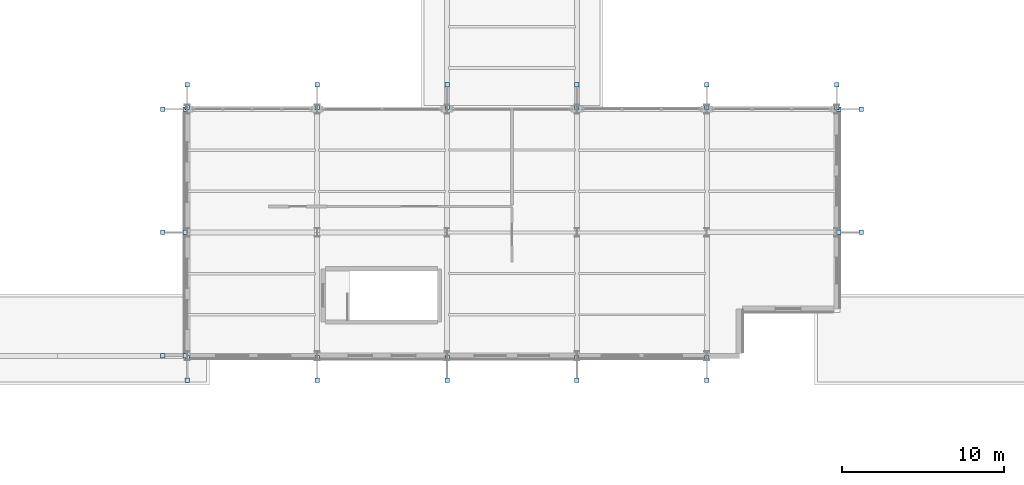
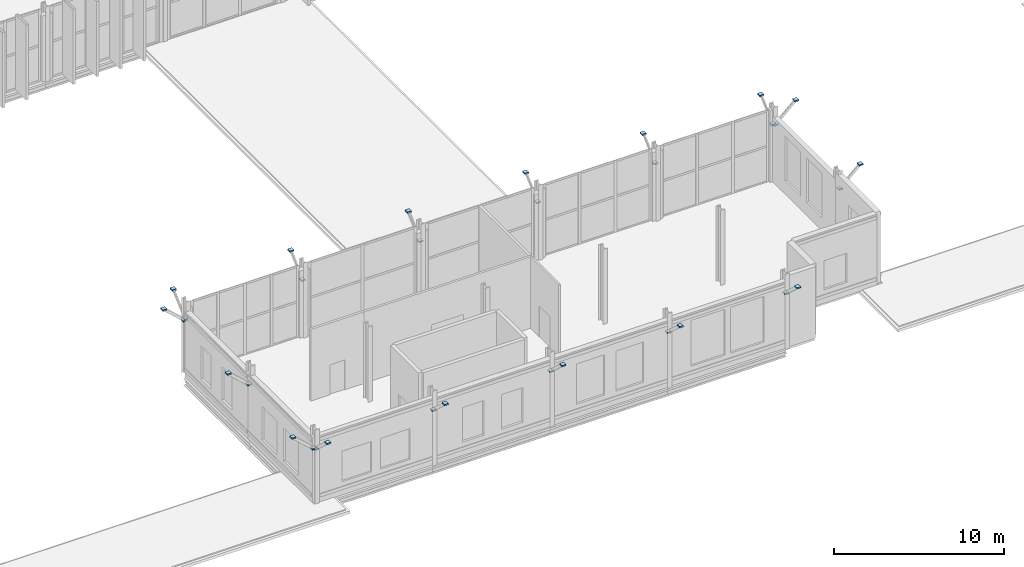
# One storey, part 108 of 147: 32 plates.
"""IFC4 building model written with IfcOpenShell, lengths in metres."""

from ifc_helpers import new_model, si_unit, direction, frame, origin, origin_2d, place, context, subcontext, project, spatial, rectangle, extrude, material, layer, layer_set, type_object, element, save


model = new_model("IFC4")

# Units and contexts
model_context = context("Model", 3, precision=1e-05, world=origin(), true_north=direction((0.0, 1.0)))
body_context = subcontext(model_context, "Body", "Model", "MODEL_VIEW")
ifc_project = project(units=[si_unit("LENGTHUNIT", "METRE"), si_unit("AREAUNIT", "SQUARE_METRE"), si_unit("VOLUMEUNIT", "CUBIC_METRE"), si_unit("PLANEANGLEUNIT", "RADIAN"), si_unit("MASSUNIT", "GRAM", prefix="KILO")], contexts=[model_context])

# Site, building, storey
site_placement = place(None, origin())
site = spatial("IfcSite", under=ifc_project, at=site_placement, CompositionType="ELEMENT")
building_placement = place(site_placement, origin())
building = spatial("IfcBuilding", under=site, at=building_placement, Name="Vekula Escarpment Museum", CompositionType="ELEMENT")
storey_placement = place(building_placement, frame((0.0, 0.0, 7.800048828125)))
storey = spatial("IfcBuildingStorey", under=building, at=storey_placement, Name="L02", CompositionType="ELEMENT", Elevation=7.800048828125)

# Plates
ifc_material = material(Name="Steel S355", Category="steel")
ifc_layer = layer(ifc_material, 0.01611328125)
ifc_layer_set = layer_set([ifc_layer], Name="Steel S355")
plate_type = type_object("IfcPlateType", Name="PL-CAP-16", PredefinedType="SHEET", material=ifc_layer_set)
for number, where, z_axis, x_axis, name in (
    (1, (77.88525390625, 0.0, 3.89404296875), (0.0, 0.0, 1.0), (1.0, 0.0, 0.0), "Hollow section end cap CP-16"),
    (2, (76.49462890625, 0.0, 5.163818359375), (0.0, 0.0, 1.0), (1.0, 0.0, 0.0), "Hollow section end cap CP-16"),
    (3, (78.0, -0.11474609375, 3.89404296875), (0.0, 0.0, 1.0), (1.0, 0.0, 0.0), "Hollow section end cap CP-16"),
    (4, (78.0, -1.50537109375, 5.163818359375), (0.0, 0.0, 1.0), (1.0, 0.0, 0.0), "Hollow section end cap CP-16"),
    (5, (77.88525390625, 7.60009765625, 3.89404296875), (0.0, 0.0, 1.0), (1.0, 0.0, 0.0), "Hollow section end cap CP-16"),
    (6, (76.49462890625, 7.60009765625, 5.163818359375), (0.0, 0.0, 1.0), (1.0, 0.0, 0.0), "Hollow section end cap CP-16"),
    (7, (77.88525390625, 15.199951171875, 3.89404296875), (0.0, 0.0, 1.0), (1.0, 0.0, 0.0), "Hollow section end cap CP-16"),
    (8, (76.49462890625, 15.199951171875, 5.163818359375), (0.0, 0.0, 1.0), (1.0, 0.0, 0.0), "Hollow section end cap CP-16"),
    (9, (78.0, 15.314697265625, 3.89404296875), (0.0, 0.0, 1.0), (1.0, 0.0, 0.0), "Hollow section end cap CP-16"),
    (10, (78.0, 16.705322265625, 5.163818359375), (0.0, 0.0, 1.0), (1.0, 0.0, 0.0), "Hollow section end cap CP-16"),
    (11, (86.0, -0.11474609375, 3.89404296875), (0.0, 0.0, 1.0), (1.0, 0.0, 0.0), "Hollow section end cap CP-16"),
    (12, (86.0, -1.50537109375, 5.163818359375), (0.0, 0.0, 1.0), (1.0, 0.0, 0.0), "Hollow section end cap CP-16"),
    (13, (86.0, 15.314697265625, 3.89404296875), (0.0, 0.0, 1.0), (1.0, 0.0, 0.0), "Hollow section end cap CP-16"),
    (14, (86.0, 16.705322265625, 5.163818359375), (0.0, 0.0, 1.0), (1.0, 0.0, 0.0), "Hollow section end cap CP-16"),
    (15, (94.0, -0.11474609375, 3.89404296875), (0.0, 0.0, 1.0), (1.0, 0.0, 0.0), "Hollow section end cap CP-16"),
    (16, (94.0, -1.50537109375, 5.163818359375), (0.0, 0.0, 1.0), (1.0, 0.0, 0.0), "Hollow section end cap CP-16"),
    (17, (94.0, 15.314697265625, 3.89404296875), (0.0, 0.0, 1.0), (1.0, 0.0, 0.0), "Hollow section end cap CP-16"),
    (18, (94.0, 16.705322265625, 5.163818359375), (0.0, 0.0, 1.0), (1.0, 0.0, 0.0), "Hollow section end cap CP-16"),
    (19, (102.0, -0.11474609375, 3.89404296875), (0.0, 0.0, 1.0), (1.0, 0.0, 0.0), "Hollow section end cap CP-16"),
    (20, (102.0, -1.50537109375, 5.163818359375), (0.0, 0.0, 1.0), (1.0, 0.0, 0.0), "Hollow section end cap CP-16"),
    (21, (102.0, 15.314697265625, 3.89404296875), (0.0, 0.0, 1.0), (1.0, 0.0, 0.0), "Hollow section end cap CP-16"),
    (22, (102.0, 16.705322265625, 5.163818359375), (0.0, 0.0, 1.0), (1.0, 0.0, 0.0), "Hollow section end cap CP-16"),
    (23, (110.0, -0.11474609375, 3.89404296875), (0.0, 0.0, 1.0), (1.0, 0.0, 0.0), "Hollow section end cap CP-16"),
    (24, (110.0, -1.50537109375, 5.163818359375), (0.0, 0.0, 1.0), (1.0, 0.0, 0.0), "Hollow section end cap CP-16"),
    (25, (110.0, 15.314697265625, 3.89404296875), (0.0, 0.0, 1.0), (1.0, 0.0, 0.0), "Hollow section end cap CP-16"),
    (26, (110.0, 16.705322265625, 5.163818359375), (0.0, 0.0, 1.0), (1.0, 0.0, 0.0), "Hollow section end cap CP-16"),
    (27, (118.11474609375, 7.60009765625, 3.89404296875), (0.0, 0.0, 1.0), (1.0, 0.0, 0.0), "Hollow section end cap CP-16"),
    (28, (119.50537109375, 7.60009765625, 5.163818359375), (0.0, 0.0, 1.0), (1.0, 0.0, 0.0), "Hollow section end cap CP-16"),
    (29, (118.11474609375, 15.199951171875, 3.89404296875), (0.0, 0.0, 1.0), (1.0, 0.0, 0.0), "Hollow section end cap CP-16"),
    (30, (119.50537109375, 15.199951171875, 5.163818359375), (0.0, 0.0, 1.0), (1.0, 0.0, 0.0), "Hollow section end cap CP-16"),
    (31, (118.0, 15.314697265625, 3.89404296875), (0.0, 0.0, 1.0), (1.0, 0.0, 0.0), "Hollow section end cap CP-16"),
    (32, (118.0, 16.705322265625, 5.163818359375), (0.0, 0.0, 1.0), (1.0, 0.0, 0.0), "Hollow section end cap CP-16"),
):
    element("IfcPlate", number, at=place(storey_placement, frame(where, z_axis=z_axis, x_axis=x_axis)), inside=storey, type_object=plate_type, Name=name, PredefinedType="SHEET", context=body_context, shape_type="SweptSolid", body=[
        extrude(rectangle(XDim=0.280029296875, YDim=0.280029296875, at=origin_2d()), origin(), (0.0, 0.0, 1.0), 0.10205078125),
    ])

save(model, "model.ifc")
